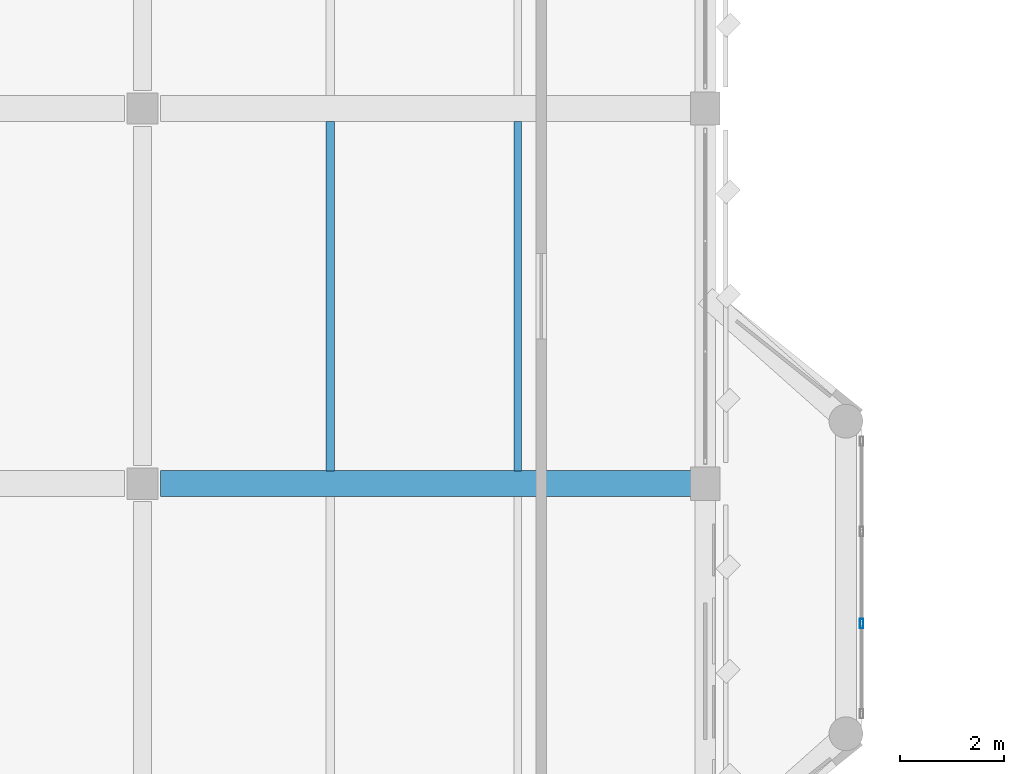
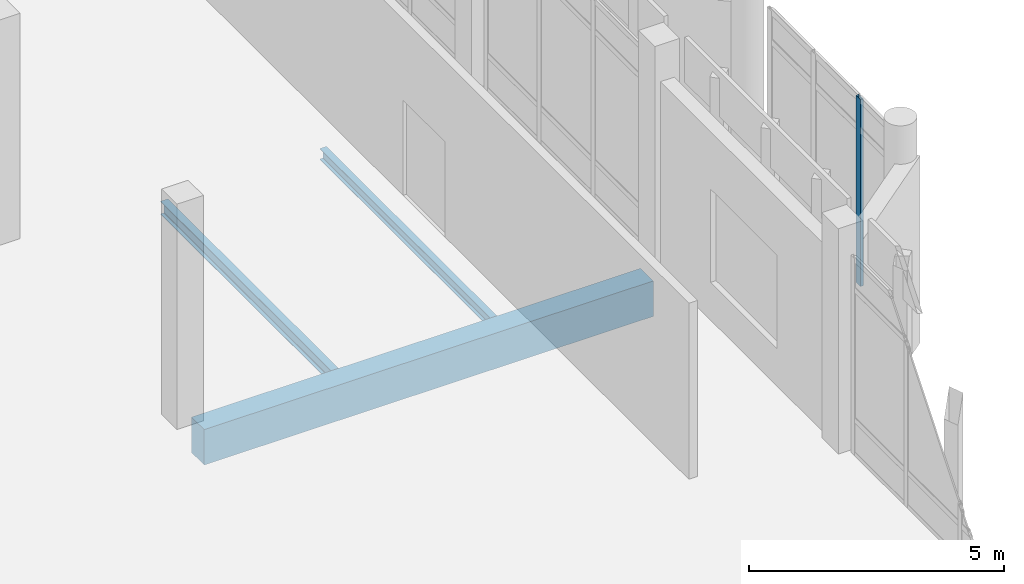
# One storey, part 61 of 180: 3 beams, 1 member, 1 element without a shape of its own.
"""IFC4 building model written with IfcOpenShell, lengths in metres."""

from ifc_helpers import new_model, si_unit, direction, frame, origin, origin_2d, place, context, subcontext, project, spatial, rectangle, hollow_rectangle, i_section, extrude, material, material_profile, profile_set, type_object, element, aggregate, save


model = new_model("IFC4")

# Units and contexts
model_context = context("Model", 3, precision=1e-05, world=origin(), true_north=direction((0.0, 1.0)))
body_context = subcontext(model_context, "Body", "Model", "MODEL_VIEW")
ifc_project = project(units=[si_unit("LENGTHUNIT", "METRE"), si_unit("AREAUNIT", "SQUARE_METRE"), si_unit("VOLUMEUNIT", "CUBIC_METRE"), si_unit("PLANEANGLEUNIT", "RADIAN"), si_unit("MASSUNIT", "GRAM", prefix="KILO")], contexts=[model_context])

# Site, building, storey
site_placement = place(None, origin())
site = spatial("IfcSite", under=ifc_project, at=site_placement, CompositionType="ELEMENT")
building_placement = place(site_placement, origin())
building = spatial("IfcBuilding", under=site, at=building_placement, Name="Lusvemor Sports Hall", CompositionType="ELEMENT")
storey_placement = place(building_placement, frame((0.0, 0.0, 5.39990234375)))
storey = spatial("IfcBuildingStorey", under=building, at=storey_placement, Name="L01", CompositionType="ELEMENT", Elevation=5.39990234375)

# Curtain wall, member
ifc_material_1 = material(Name="Thermally broken bronze-anodized aluminium", Category="aluminium")
curtain_wall_type = type_object("IfcCurtainWallType", Name="CW_FOYER_A", PredefinedType="NOTDEFINED", material=ifc_material_1)
curtain_wall_placement = place(storey_placement, origin())
curtain_wall = element("IfcCurtainWall", 1, at=curtain_wall_placement, inside=storey, type_object=curtain_wall_type, Name="Curtain Wall CW-BOW-CT-L01-M", PredefinedType="NOTDEFINED")
ifc_material_2 = material(Name="Thermally broken bronze-anodized aluminium", Category="aluminium")
ifc_material_profile_1 = material_profile(ifc_material_2, hollow_rectangle(XDim=0.070068359375, YDim=0.179931640625, WallThickness=0.0048828125, InnerFilletRadius=0.0048828125, OuterFilletRadius=0.010009765625, at=origin_2d()), Name="CWMUL180x70x5")
ifc_profile_set_1 = profile_set([ifc_material_profile_1], Name="Thermally broken bronze-anodized aluminium")
member_type = type_object("IfcMemberType", Name="CW_MUL_A", PredefinedType="MULLION", material=ifc_profile_set_1)
member_placement = place(storey_placement, frame((24.60009765625, 80.11669921875, 0.0), z_axis=(0.0, 0.0, 1.0), x_axis=(1.0, 0.0, 0.0)))
member = element("IfcMember", 2, at=member_placement, type_object=member_type, Name="CW01 mullion 3", PredefinedType="MULLION", context=body_context, shape_type="SweptSolid", body=[
    extrude(hollow_rectangle(XDim=0.070068359375, YDim=0.179931640625, WallThickness=0.0048828125, InnerFilletRadius=0.0048828125, OuterFilletRadius=0.010009765625, at=origin_2d()), origin(), (0.0, 0.0, 1.0), 4.47998046875),
])
aggregate(curtain_wall, [member])

# Beams
ifc_material_3 = material(Name="Concrete C40/50", Category="concrete")
ifc_material_profile_2 = material_profile(ifc_material_3, rectangle(XDim=0.5, YDim=0.85009765625, at=origin_2d()), Name="RC500x850")
ifc_profile_set_2 = profile_set([ifc_material_profile_2], Name="Concrete C40/50")
beam_type_1 = type_object("IfcBeamType", Name="GIRD_RC_850", PredefinedType="T_BEAM", material=ifc_profile_set_2)
beam_1_placement = place(storey_placement, frame((11.14599609375, 82.800048828125, -0.684814453125), z_axis=(1.0, 0.0, 0.0), x_axis=(0.0, 1.0, 0.0)))
element("IfcBeam", 3, at=beam_1_placement, inside=storey, type_object=beam_type_1, Name="Beam L01 L:2-3", PredefinedType="T_BEAM", context=body_context, shape_type="SweptSolid", body=[
    extrude(rectangle(XDim=0.5, YDim=0.85009765625, at=origin_2d()), origin(), (0.0, 0.0, 1.0), 10.177978515625),
])
ifc_material_4 = material(Name="Steel S355", Category="steel")
ifc_material_profile_3 = material_profile(ifc_material_4, i_section(OverallWidth=0.14794921875, OverallDepth=0.26611328125, WebThickness=0.007568359375, FlangeThickness=0.012939453125, FilletRadius=0.012939453125, at=origin_2d()), Name="W250x44.8")
ifc_profile_set_3 = profile_set([ifc_material_profile_3], Name="Steel S355")
beam_type_2 = type_object("IfcBeamType", Name="JOIST_ST_250M", PredefinedType="JOIST", material=ifc_profile_set_3)
beam_2_placement = place(storey_placement, frame((18.0, 83.0458984375, -0.39697265625), z_axis=(0.0, 1.0, 0.0), x_axis=(-1.0, 0.0, 0.0)))
element("IfcBeam", 4, at=beam_2_placement, inside=storey, type_object=beam_type_2, Name="Secondary Joist L01 2-3/L-M #2", PredefinedType="JOIST", context=body_context, shape_type="SweptSolid", body=[
    extrude(i_section(OverallWidth=0.14794921875, OverallDepth=0.26611328125, WebThickness=0.007568359375, FlangeThickness=0.012939453125, FilletRadius=0.012939453125, at=origin_2d()), origin(), (0.0, 0.0, 1.0), 6.7080078125),
])
ifc_material_5 = material(Name="Steel S355", Category="steel")
ifc_material_profile_4 = material_profile(ifc_material_5, i_section(OverallWidth=0.1669921875, OverallDepth=0.31689453125, WebThickness=0.007568359375, FlangeThickness=0.01318359375, FilletRadius=0.014892578125, at=origin_2d()), Name="W310x52.0")
ifc_profile_set_4 = profile_set([ifc_material_profile_4], Name="Steel S355")
beam_type_3 = type_object("IfcBeamType", Name="JOIST_ST_310M", PredefinedType="JOIST", material=ifc_profile_set_4)
beam_3_placement = place(storey_placement, frame((14.39990234375, 83.0458984375, -0.42236328125), z_axis=(0.0, 1.0, 0.0), x_axis=(-1.0, 0.0, 0.0)))
element("IfcBeam", 5, at=beam_3_placement, inside=storey, type_object=beam_type_3, Name="Secondary Joist L01 2-3/L-M #1", PredefinedType="JOIST", context=body_context, shape_type="SweptSolid", body=[
    extrude(i_section(OverallWidth=0.1669921875, OverallDepth=0.31689453125, WebThickness=0.007568359375, FlangeThickness=0.01318359375, FilletRadius=0.014892578125, at=origin_2d()), origin(), (0.0, 0.0, 1.0), 6.7080078125),
])

save(model, "model.ifc")
